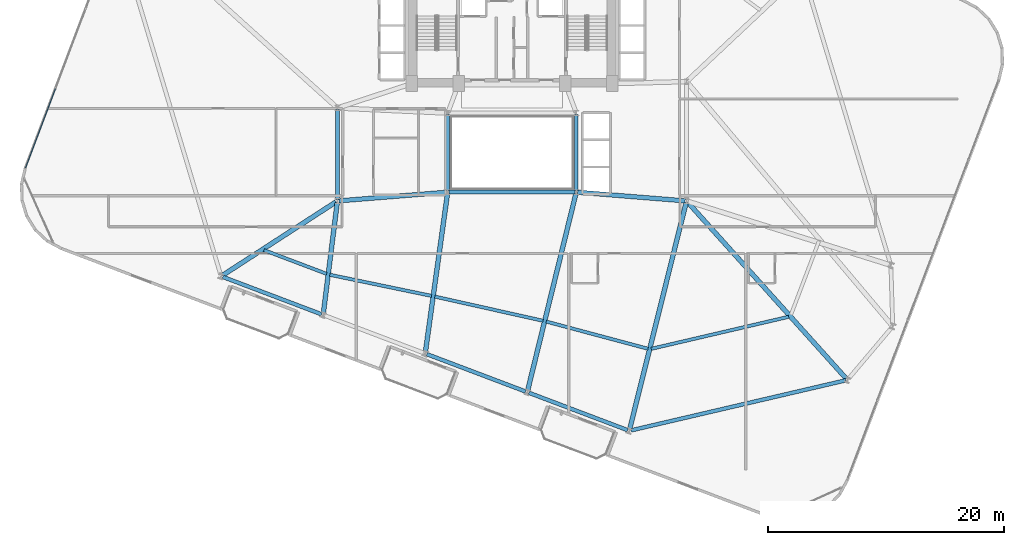
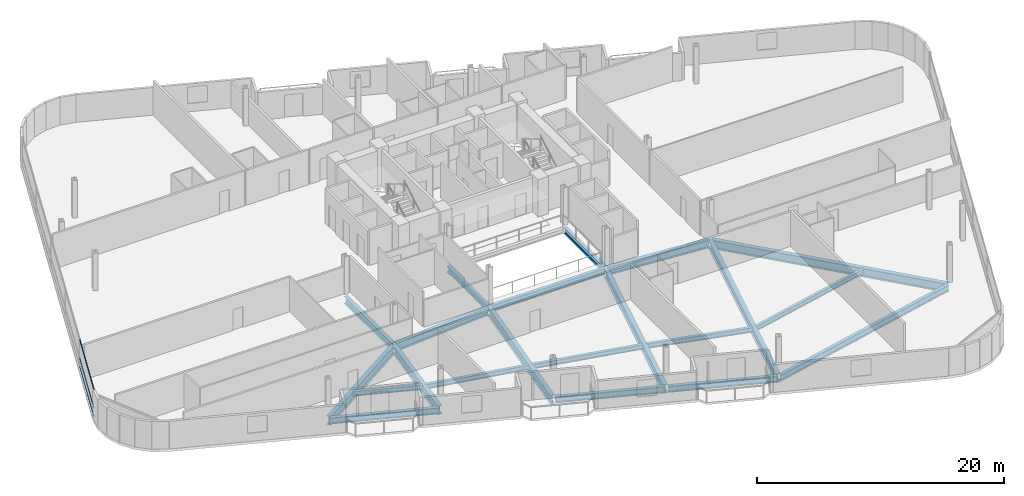
# One storey, part 3 of 25: 21 beams, 3 members, 1 element without a shape of its own.
"""IFC4 building model written with IfcOpenShell, lengths in metres."""

from ifc_helpers import new_model, si_unit, direction, frame, origin, origin_2d, place, context, subcontext, project, spatial, hollow_rectangle, i_section, extrude, material, layer, layer_set, material_profile, profile_set, type_object, element, aggregate, save


model = new_model("IFC4")

# Units and contexts
model_context = context("Model", 3, precision=1e-05, world=origin(), true_north=direction((0.0, 1.0)))
body_context = subcontext(model_context, "Body", "Model", "MODEL_VIEW")
ifc_project = project(units=[si_unit("LENGTHUNIT", "METRE"), si_unit("AREAUNIT", "SQUARE_METRE"), si_unit("VOLUMEUNIT", "CUBIC_METRE"), si_unit("PLANEANGLEUNIT", "RADIAN"), si_unit("MASSUNIT", "GRAM", prefix="KILO")], contexts=[model_context])

# Site, building, storey
site_placement = place(None, origin())
site = spatial("IfcSite", under=ifc_project, at=site_placement, CompositionType="ELEMENT")
building_placement = place(site_placement, origin())
building = spatial("IfcBuilding", under=site, at=building_placement, Name="Varnelok Gate Tower", CompositionType="ELEMENT")
storey_placement = place(building_placement, frame((0.0, 0.0, 91.0)))
storey = spatial("IfcBuildingStorey", under=building, at=storey_placement, Name="L22", CompositionType="ELEMENT", Elevation=91.0)

# Beams
ifc_material_1 = material(Name="Structural Steel ASTM A992 Grade 50", Category="steel")
ifc_material_profile_1 = material_profile(ifc_material_1, i_section(OverallWidth=0.280029296875, OverallDepth=0.462890625, WebThickness=0.0107421875, FlangeThickness=0.017333984375, FilletRadius=0.014892578125, at=origin_2d()), Name="W18X76")
ifc_profile_set_1 = profile_set([ifc_material_profile_1], Name="Structural Steel ASTM A992 Grade 50")
beam_type_1 = type_object("IfcBeamType", Name="BM-JST-W18X76", PredefinedType="JOIST", material=ifc_profile_set_1)
beam_1_placement = place(storey_placement, frame((18.171875, 14.6328125, -0.4814453125), z_axis=(0.935227094529, -0.35404841711, 0.0), x_axis=(0.35404841711, 0.935227094529, 0.0)))
element("IfcBeam", 1, at=beam_1_placement, inside=storey, type_object=beam_type_1, Name="L22 Sector Floor Joist 1", PredefinedType="JOIST", context=body_context, shape_type="SweptSolid", body=[
    extrude(i_section(OverallWidth=0.280029296875, OverallDepth=0.462890625, WebThickness=0.0107421875, FlangeThickness=0.017333984375, FilletRadius=0.014892578125, at=origin_2d()), origin(), (0.0, 0.0, 1.0), 5.686279296875),
])
beam_2_placement = place(storey_placement, frame((23.7578125, 12.54150390625, -0.4814453125), z_axis=(0.979150483165, -0.20313623832, 0.0), x_axis=(0.20313623832, 0.979150483165, 0.0)))
element("IfcBeam", 2, at=beam_2_placement, inside=storey, type_object=beam_type_1, Name="L22 Sector Floor Joist 2", PredefinedType="JOIST", context=body_context, shape_type="SweptSolid", body=[
    extrude(i_section(OverallWidth=0.280029296875, OverallDepth=0.462890625, WebThickness=0.0107421875, FlangeThickness=0.017333984375, FilletRadius=0.014892578125, at=origin_2d()), origin(), (0.0, 0.0, 1.0), 8.808349609375),
])
beam_3_placement = place(storey_placement, frame((32.656494140625, 10.693359375, -0.4814453125), z_axis=(0.975912576453, -0.218161965341, 0.0), x_axis=(0.218161965341, 0.975912576453, 0.0)))
element("IfcBeam", 3, at=beam_3_placement, inside=storey, type_object=beam_type_1, Name="L22 Sector Floor Joist 3", PredefinedType="JOIST", context=body_context, shape_type="SweptSolid", body=[
    extrude(i_section(OverallWidth=0.280029296875, OverallDepth=0.462890625, WebThickness=0.0107421875, FlangeThickness=0.017333984375, FilletRadius=0.014892578125, at=origin_2d()), origin(), (0.0, 0.0, 1.0), 9.402587890625),
])
beam_4_placement = place(storey_placement, frame((42.104248046875, 8.5751953125, -0.4814453125), z_axis=(0.96608369645, -0.258229145244, 0.0), x_axis=(0.258229145244, 0.96608369645, 0.0)))
element("IfcBeam", 4, at=beam_4_placement, inside=storey, type_object=beam_type_1, Name="L22 Sector Floor Joist 4", PredefinedType="JOIST", context=body_context, shape_type="SweptSolid", body=[
    extrude(i_section(OverallWidth=0.280029296875, OverallDepth=0.462890625, WebThickness=0.0107421875, FlangeThickness=0.017333984375, FilletRadius=0.014892578125, at=origin_2d()), origin(), (0.0, 0.0, 1.0), 8.931640625),
])
beam_5_placement = place(storey_placement, frame((51.00439453125, 6.264404296875, -0.4814453125), z_axis=(0.973872198903, 0.227096763966, 0.0), x_axis=(-0.227096763966, 0.973872198903, 0.0)))
element("IfcBeam", 5, at=beam_5_placement, inside=storey, type_object=beam_type_1, Name="L22 Sector Floor Joist 5", PredefinedType="JOIST", context=body_context, shape_type="SweptSolid", body=[
    extrude(i_section(OverallWidth=0.280029296875, OverallDepth=0.462890625, WebThickness=0.0107421875, FlangeThickness=0.017333984375, FilletRadius=0.014892578125, at=origin_2d()), origin(), (0.0, 0.0, 1.0), 11.967529296875),
])
ifc_material_profile_2 = material_profile(ifc_material_1, i_section(OverallWidth=0.35498046875, OverallDepth=0.696044921875, WebThickness=0.015380859375, FlangeThickness=0.02490234375, FilletRadius=0.02001953125, at=origin_2d()), Name="W27X146")
ifc_profile_set_2 = profile_set([ifc_material_profile_2], Name="Structural Steel ASTM A992 Grade 50")
beam_type_2 = type_object("IfcBeamType", Name="BM-PRI-W27X146", PredefinedType="BEAM", material=ifc_profile_set_2)
beam_6_placement = place(storey_placement, frame((24.39990234375, 18.919921875, -0.597900390625), z_axis=(0.0, 1.0, 0.0), x_axis=(-1.0, 0.0, 0.0)))
element("IfcBeam", 6, at=beam_6_placement, inside=storey, type_object=beam_type_2, Name="L22 Core-Atrium Spine Beam 16", PredefinedType="BEAM", context=body_context, shape_type="SweptSolid", body=[
    extrude(i_section(OverallWidth=0.35498046875, OverallDepth=0.696044921875, WebThickness=0.015380859375, FlangeThickness=0.02490234375, FilletRadius=0.02001953125, at=origin_2d()), origin(), (0.0, 0.0, 1.0), 7.64013671875),
])
ifc_material_profile_3 = material_profile(ifc_material_1, i_section(OverallWidth=0.381103515625, OverallDepth=0.77294921875, WebThickness=0.0166015625, FlangeThickness=0.027099609375, FilletRadius=0.02197265625, at=origin_2d()), Name="W30X173")
ifc_profile_set_3 = profile_set([ifc_material_profile_3], Name="Structural Steel ASTM A992 Grade 50")
beam_type_3 = type_object("IfcBeamType", Name="BM-PRI-W30X173", PredefinedType="BEAM", material=ifc_profile_set_3)
for number, where, z_axis, x_axis, name in (
    (7, (24.51953125, 18.8095703125, -0.636474609375), (0.996799206292, 0.07994587128, 0.0), (-0.07994587128, 0.996799206292, 0.0), "L22 Core-Atrium Spine Beam 14"),
    (8, (44.76953125, 19.540283203125, -0.636474609375), (0.996799206292, -0.07994587128, 0.0), (0.07994587128, 0.996799206292, 0.0), "L22 Core-Atrium Spine Beam 18"),
):
    element("IfcBeam", number, at=place(storey_placement, frame(where, z_axis=z_axis, x_axis=x_axis)), inside=storey, type_object=beam_type_3, Name=name, PredefinedType="BEAM", context=body_context, shape_type="SweptSolid", body=[
        extrude(i_section(OverallWidth=0.381103515625, OverallDepth=0.77294921875, WebThickness=0.0166015625, FlangeThickness=0.027099609375, FilletRadius=0.02197265625, at=origin_2d()), origin(), (0.0, 0.0, 1.0), 9.14013671875),
    ])
ifc_material_profile_4 = material_profile(ifc_material_1, i_section(OverallWidth=0.39892578125, OverallDepth=0.85498046875, WebThickness=0.018310546875, FlangeThickness=0.029296875, FilletRadius=0.02392578125, at=origin_2d()), Name="W33X201")
ifc_profile_set_4 = profile_set([ifc_material_profile_4], Name="Structural Steel ASTM A992 Grade 50")
beam_type_4 = type_object("IfcBeamType", Name="BM-PRI-W33X201", PredefinedType="BEAM", material=ifc_profile_set_4)
beam_7_placement = place(storey_placement, frame((24.274169921875, 18.718505859375, -0.677490234375), z_axis=(-0.839398998687, -0.543515704468, 0.0), x_axis=(0.543515704468, -0.839398998687, 0.0)))
element("IfcBeam", 9, at=beam_7_placement, inside=storey, type_object=beam_type_4, Name="L22 Radial Floor Girder 1", PredefinedType="BEAM", context=body_context, shape_type="SweptSolid", body=[
    extrude(i_section(OverallWidth=0.39892578125, OverallDepth=0.85498046875, WebThickness=0.018310546875, FlangeThickness=0.029296875, FilletRadius=0.02392578125, at=origin_2d()), origin(), (0.0, 0.0, 1.0), 11.4453125),
])
beam_8_placement = place(storey_placement, frame((24.38134765625, 18.651123046875, -0.677490234375), z_axis=(-0.124114361033, -0.992267920163, 0.0), x_axis=(0.992267920163, -0.124114361033, 0.0)))
element("IfcBeam", 10, at=beam_8_placement, inside=storey, type_object=beam_type_4, Name="L22 Radial Floor Girder 2", PredefinedType="BEAM", context=body_context, shape_type="SweptSolid", body=[
    extrude(i_section(OverallWidth=0.39892578125, OverallDepth=0.85498046875, WebThickness=0.018310546875, FlangeThickness=0.029296875, FilletRadius=0.02392578125, at=origin_2d()), origin(), (0.0, 0.0, 1.0), 9.43408203125),
])
beam_9_placement = place(storey_placement, frame((33.729248046875, 19.4013671875, -0.677490234375), z_axis=(-0.138054699139, -0.990424605937, 0.0), x_axis=(0.990424605937, -0.138054699139, 0.0)))
element("IfcBeam", 11, at=beam_9_placement, inside=storey, type_object=beam_type_4, Name="L22 Radial Floor Girder 3", PredefinedType="BEAM", context=body_context, shape_type="SweptSolid", body=[
    extrude(i_section(OverallWidth=0.39892578125, OverallDepth=0.85498046875, WebThickness=0.018310546875, FlangeThickness=0.029296875, FilletRadius=0.02392578125, at=origin_2d()), origin(), (0.0, 0.0, 1.0), 13.51611328125),
])
beam_10_placement = place(storey_placement, frame((44.6142578125, 19.404296875, -0.677490234375), z_axis=(-0.238054163128, -0.971251880522, 0.0), x_axis=(0.971251880522, -0.238054163128, 0.0)))
element("IfcBeam", 12, at=beam_10_placement, inside=storey, type_object=beam_type_4, Name="L22 Radial Floor Girder 4", PredefinedType="BEAM", context=body_context, shape_type="SweptSolid", body=[
    extrude(i_section(OverallWidth=0.39892578125, OverallDepth=0.85498046875, WebThickness=0.018310546875, FlangeThickness=0.029296875, FilletRadius=0.02392578125, at=origin_2d()), origin(), (0.0, 0.0, 1.0), 17.160888671875),
])
beam_11_placement = place(storey_placement, frame((53.963623046875, 18.654541015625, -0.677490234375), z_axis=(-0.241818229902, -0.970321567156, 0.0), x_axis=(0.970321567156, -0.241818229902, 0.0)))
element("IfcBeam", 13, at=beam_11_placement, inside=storey, type_object=beam_type_4, Name="L22 Radial Floor Girder 5", PredefinedType="BEAM", context=body_context, shape_type="SweptSolid", body=[
    extrude(i_section(OverallWidth=0.39892578125, OverallDepth=0.85498046875, WebThickness=0.018310546875, FlangeThickness=0.029296875, FilletRadius=0.02392578125, at=origin_2d()), origin(), (0.0, 0.0, 1.0), 19.7802734375),
])
beam_12_placement = place(storey_placement, frame((54.100341796875, 18.6884765625, -0.677490234375), z_axis=(0.668462619128, -0.743745740713, 0.0), x_axis=(0.743745740713, 0.668462619128, 0.0)))
element("IfcBeam", 14, at=beam_12_placement, inside=storey, type_object=beam_type_4, Name="L22 Radial Floor Girder 6", PredefinedType="BEAM", context=body_context, shape_type="SweptSolid", body=[
    extrude(i_section(OverallWidth=0.39892578125, OverallDepth=0.85498046875, WebThickness=0.018310546875, FlangeThickness=0.029296875, FilletRadius=0.02392578125, at=origin_2d()), origin(), (0.0, 0.0, 1.0), 20.099853515625),
])
ifc_material_profile_5 = material_profile(ifc_material_1, i_section(OverallWidth=0.323974609375, OverallDepth=0.611083984375, WebThickness=0.0126953125, FlangeThickness=0.01904296875, FilletRadius=0.01806640625, at=origin_2d()), Name="W24X104")
ifc_profile_set_5 = profile_set([ifc_material_profile_5], Name="Structural Steel ASTM A992 Grade 50")
beam_type_5 = type_object("IfcBeamType", Name="BM-SPN-W24X104", PredefinedType="SPANDREL", material=ifc_profile_set_5)
beam_13_placement = place(storey_placement, frame((33.8701171875, 19.550048828125, -0.555419921875), z_axis=(1.0, 0.0, 0.0), x_axis=(0.0, 1.0, 0.0)))
element("IfcBeam", 15, at=beam_13_placement, inside=storey, type_object=beam_type_5, Name="L22 Core-Atrium Spine Beam 8", PredefinedType="SPANDREL", context=body_context, shape_type="SweptSolid", body=[
    extrude(i_section(OverallWidth=0.323974609375, OverallDepth=0.611083984375, WebThickness=0.0126953125, FlangeThickness=0.01904296875, FilletRadius=0.01806640625, at=origin_2d()), origin(), (0.0, 0.0, 1.0), 10.659912109375),
])
for number, where, z_axis, x_axis, name in (
    (16, (33.75, 19.669921875, -0.555419921875), (0.0, 1.0, 0.0), (-1.0, 0.0, 0.0), "L22 Core-Atrium Spine Beam 10"),
    (17, (44.64990234375, 19.669921875, -0.555419921875), (0.0, 1.0, 0.0), (-1.0, 0.0, 0.0), "L22 Core-Atrium Spine Beam 11"),
):
    element("IfcBeam", number, at=place(storey_placement, frame(where, z_axis=z_axis, x_axis=x_axis)), inside=storey, type_object=beam_type_5, Name=name, PredefinedType="SPANDREL", context=body_context, shape_type="SweptSolid", body=[
        extrude(i_section(OverallWidth=0.323974609375, OverallDepth=0.611083984375, WebThickness=0.0126953125, FlangeThickness=0.01904296875, FilletRadius=0.01806640625, at=origin_2d()), origin(), (0.0, 0.0, 1.0), 6.4599609375),
    ])
for number, where, z_axis, x_axis, name in (
    (18, (14.681396484375, 12.363037109375, -0.555419921875), (0.935225969099, -0.354051389947, 0.0), (0.354051389947, 0.935225969099, 0.0), "L22 Perimeter Spandrel Beam 1"),
    (19, (31.98291015625, 5.81298828125, -0.555419921875), (0.935216936382, -0.354075248928, 0.0), (0.354075248928, 0.935216936382, 0.0), "L22 Perimeter Spandrel Beam 3"),
    (20, (40.6337890625, 2.537841796875, -0.555419921875), (0.935216936382, -0.354075248928, 0.0), (0.354075248928, 0.935216936382, 0.0), "L22 Perimeter Spandrel Beam 4"),
):
    element("IfcBeam", number, at=place(storey_placement, frame(where, z_axis=z_axis, x_axis=x_axis)), inside=storey, type_object=beam_type_5, Name=name, PredefinedType="SPANDREL", context=body_context, shape_type="SweptSolid", body=[
        extrude(i_section(OverallWidth=0.323974609375, OverallDepth=0.611083984375, WebThickness=0.0126953125, FlangeThickness=0.01904296875, FilletRadius=0.01806640625, at=origin_2d()), origin(), (0.0, 0.0, 1.0), 8.949951171875),
    ])
beam_14_placement = place(storey_placement, frame((49.290283203125, -0.64990234375, -0.555419921875), z_axis=(0.973880317885, 0.227061944052, 0.0), x_axis=(-0.227061944052, 0.973880317885, 0.0)))
element("IfcBeam", 21, at=beam_14_placement, inside=storey, type_object=beam_type_5, Name="L22 Perimeter Spandrel Beam 5", PredefinedType="SPANDREL", context=body_context, shape_type="SweptSolid", body=[
    extrude(i_section(OverallWidth=0.323974609375, OverallDepth=0.611083984375, WebThickness=0.0126953125, FlangeThickness=0.01904296875, FilletRadius=0.01806640625, at=origin_2d()), origin(), (0.0, 0.0, 1.0), 18.688232421875),
])

# Curtain wall, members
ifc_material_2 = material(Name="Anodized Aluminum Alloy 6063-T6", Category="aluminium")
ifc_layer = layer(ifc_material_2, 0.179931640625)
ifc_layer_set = layer_set([ifc_layer], Name="Anodized Aluminum Alloy 6063-T6")
curtain_wall_type = type_object("IfcCurtainWallType", Name="CW3-HOTEL-VISION", PredefinedType="USERDEFINED", material=ifc_layer_set)
curtain_wall_placement = place(storey_placement, origin())
curtain_wall = element("IfcCurtainWall", 22, at=curtain_wall_placement, inside=storey, type_object=curtain_wall_type, Name="L22 West End Vision Curtain Wall", ObjectType="UNITISED CURTAIN WALL", PredefinedType="USERDEFINED")
ifc_material_profile_6 = material_profile(ifc_material_2, hollow_rectangle(XDim=0.06494140625, YDim=0.159912109375, WallThickness=0.00390625, at=origin_2d()), Name="ALU160X65X4")
ifc_profile_set_6 = profile_set([ifc_material_profile_6], Name="Anodized Aluminum Alloy 6063-T6")
member_type = type_object("IfcMemberType", Name="CW-TRAN-160", PredefinedType="USERDEFINED", material=ifc_profile_set_6)
member_1_placement = place(storey_placement, frame((-2.031982421875, 21.625732421875, 0.032470703125), z_axis=(0.35408846525, 0.935211932546, 0.0), x_axis=(-0.935211932546, 0.35408846525, 0.0)))
member_1 = element("IfcMember", 23, at=member_1_placement, type_object=member_type, Name="CW3 transom 1.1", ObjectType="TRANSOM", PredefinedType="USERDEFINED", context=body_context, shape_type="SweptSolid", body=[
    extrude(hollow_rectangle(XDim=0.06494140625, YDim=0.159912109375, WallThickness=0.00390625, at=origin_2d()), origin(), (0.0, 0.0, 1.0), 7.142333984375),
])
member_2_placement = place(storey_placement, frame((-2.031982421875, 21.625732421875, 0.89990234375), z_axis=(0.35408846525, 0.935211932546, 0.0), x_axis=(-0.935211932546, 0.35408846525, 0.0)))
member_2 = element("IfcMember", 24, at=member_2_placement, type_object=member_type, Name="CW3 transom 1.2", ObjectType="TRANSOM", PredefinedType="USERDEFINED", context=body_context, shape_type="SweptSolid", body=[
    extrude(hollow_rectangle(XDim=0.06494140625, YDim=0.159912109375, WallThickness=0.00390625, at=origin_2d()), origin(), (0.0, 0.0, 1.0), 7.142333984375),
])
member_3_placement = place(storey_placement, frame((-2.031982421875, 21.625732421875, 2.697509765625), z_axis=(0.35408846525, 0.935211932546, 0.0), x_axis=(-0.935211932546, 0.35408846525, 0.0)))
member_3 = element("IfcMember", 25, at=member_3_placement, type_object=member_type, Name="CW3 transom 1.3", ObjectType="TRANSOM", PredefinedType="USERDEFINED", context=body_context, shape_type="SweptSolid", body=[
    extrude(hollow_rectangle(XDim=0.06494140625, YDim=0.159912109375, WallThickness=0.00390625, at=origin_2d()), origin(), (0.0, 0.0, 1.0), 7.142333984375),
])
aggregate(curtain_wall, [member_1, member_2, member_3])

save(model, "model.ifc")
